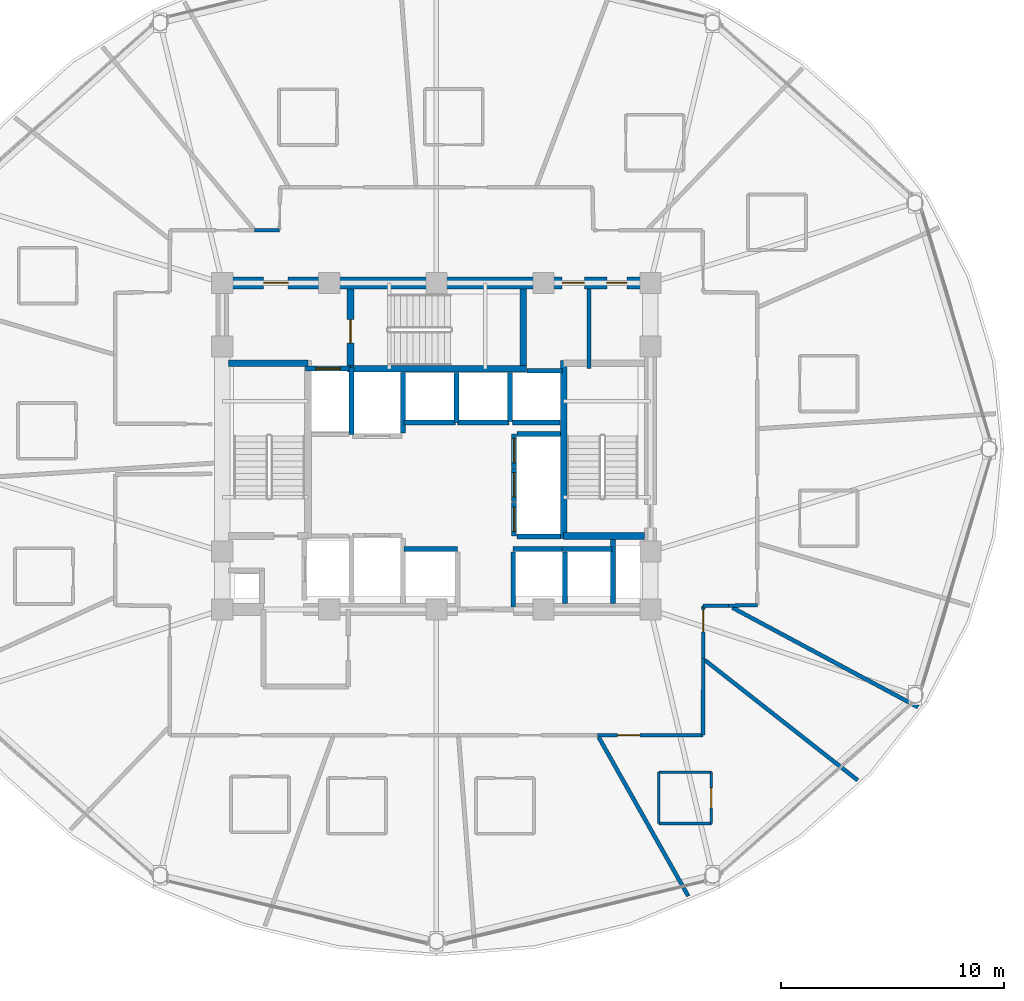
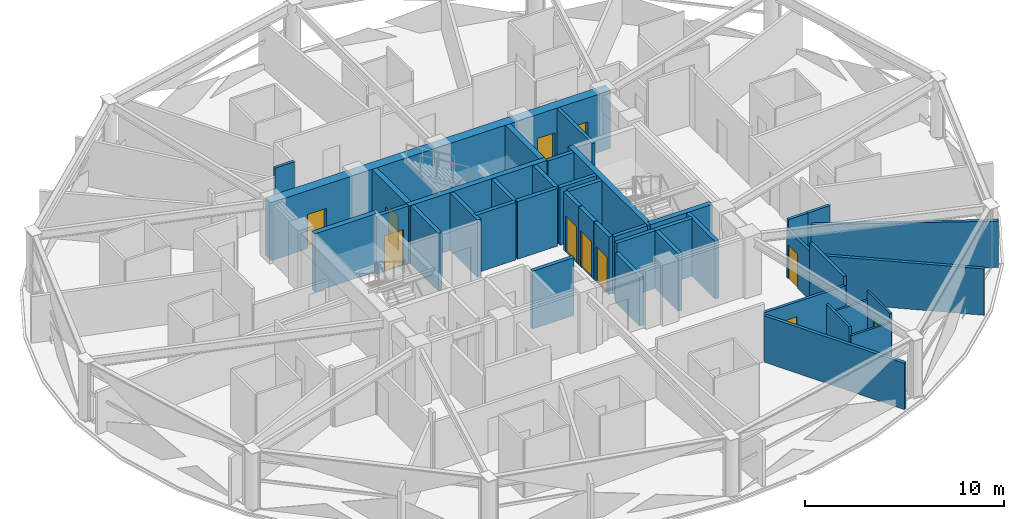
# One storey, part 24 of 30: 41 walls, 11 doors, 11 openings.
"""IFC4 building model written with IfcOpenShell, lengths in metres."""

from ifc_helpers import new_model, si_unit, direction, frame, frame_2d, origin, place, context, subcontext, project, spatial, rectangle, extrude, material, layer, layer_set, type_object, element, fill, save


model = new_model("IFC4")

# Units and contexts
model_context = context("Model", 3, precision=1e-05, world=origin(), true_north=direction((0.0, 1.0)))
body_context = subcontext(model_context, "Body", "Model", "MODEL_VIEW")
ifc_project = project(units=[si_unit("LENGTHUNIT", "METRE"), si_unit("AREAUNIT", "SQUARE_METRE"), si_unit("VOLUMEUNIT", "CUBIC_METRE"), si_unit("PLANEANGLEUNIT", "RADIAN"), si_unit("MASSUNIT", "GRAM", prefix="KILO")], contexts=[model_context])

# Site, building, storey
site_placement = place(None, origin())
site = spatial("IfcSite", under=ifc_project, at=site_placement, CompositionType="ELEMENT")
building_placement = place(site_placement, origin())
building = spatial("IfcBuilding", under=site, at=building_placement, Name="Vantalir Tower", CompositionType="ELEMENT")
storey_placement = place(building_placement, frame((0.0, 0.0, 153.449951171875)))
storey = spatial("IfcBuildingStorey", under=building, at=storey_placement, Name="L38", CompositionType="ELEMENT", Elevation=153.449951171875)

# Walls
ifc_material_1 = material(Name="Moisture-resistant en-suite partition", Category="gypsum")
ifc_layer_1 = layer(ifc_material_1, 0.125)
ifc_layer_set_1 = layer_set([ifc_layer_1], Name="Moisture-resistant en-suite partition")
wall_type_1 = type_object("IfcWallType", Name="WL-BATH-125", PredefinedType="PARTITIONING", material=ifc_layer_set_1)
for number, where, z_axis, x_axis, name in (
    (1, (41.47900390625, 8.2080078125, 0.0), (0.0, 0.0, 1.0), (1.0, 0.0, 0.0), "L38 En-suite 15 South Wall"),
    (2, (41.47900390625, 10.508056640625, 0.0), (0.0, 0.0, 1.0), (1.0, 0.0, 0.0), "L38 En-suite 15 North Wall"),
):
    element("IfcWall", number, at=place(storey_placement, frame(where, z_axis=z_axis, x_axis=x_axis)), inside=storey, type_object=wall_type_1, Name=name, PredefinedType="PARTITIONING", context=body_context, shape_type="SweptSolid", body=[
        extrude(rectangle(XDim=2.35009765625, YDim=0.125, at=frame_2d((1.175048828125, 0.0))), origin(), (0.0, 0.0, 1.0), 3.006103515625),
    ])
wall_1_placement = place(storey_placement, frame((41.47900390625, 8.2080078125, 0.0), z_axis=(0.0, 0.0, 1.0), x_axis=(0.0, 1.0, 0.0)))
element("IfcWall", 3, at=wall_1_placement, inside=storey, type_object=wall_type_1, Name="L38 En-suite 15 West Wall", PredefinedType="PARTITIONING", context=body_context, shape_type="SweptSolid", body=[
    extrude(rectangle(XDim=2.300048828125, YDim=0.125, at=frame_2d((1.14990234375, 0.0))), origin(), (0.0, 0.0, 1.0), 3.550048828125),
])

# Wall, opening, door
wall_2_placement = place(storey_placement, frame((43.8291015625, 8.2080078125, 0.0), z_axis=(0.0, 0.0, 1.0), x_axis=(0.0, 1.0, 0.0)))
wall_2 = element("IfcWall", 4, at=wall_2_placement, inside=storey, type_object=wall_type_1, Name="L38 En-suite 15 East Wall", PredefinedType="PARTITIONING", context=body_context, shape_type="SweptSolid", body=[
    extrude(rectangle(XDim=2.300048828125, YDim=0.125, at=frame_2d((1.14990234375, 0.0))), origin(), (0.0, 0.0, 1.0), 3.550048828125),
])
opening_1_placement = place(wall_2_placement, frame((0.699951171875, 0.0, 0.0)))
opening_1 = element("IfcOpeningElement", 5, at=opening_1_placement, cuts=wall_2, Name="Opening D-WC", PredefinedType="OPENING", context=body_context, shape_type="SweptSolid", body=[
    extrude(rectangle(XDim=0.89990234375, YDim=2.10009765625, at=frame_2d((0.449951171875, 1.050048828125))), frame((0.0, 0.072509765625, 0.0), z_axis=(0.0, -1.0, 0.0), x_axis=(1.0, 0.0, 0.0)), (0.0, 0.0, 1.0), 0.14501953125),
])
ifc_material_2 = material(Name="Moisture-resistant hardwood door", Category="wood")
door_type_1 = type_object("IfcDoorType", Name="DR-ENSUITE-900", OperationType="NOTDEFINED", PredefinedType="DOOR", material=ifc_material_2)
door_1_placement = place(opening_1_placement, origin())
door_1 = element("IfcDoor", 6, at=door_1_placement, inside=storey, type_object=door_type_1, Name="L38 En-suite 15 Door", OperationType="SINGLE_SWING_RIGHT", OverallHeight=2.10009765625, OverallWidth=0.89990234375, PredefinedType="DOOR", context=body_context, shape_type="SweptSolid", body=[
    extrude(rectangle(XDim=0.89990234375, YDim=2.10009765625, at=frame_2d((0.449951171875, 1.050048828125))), frame((0.0, 0.02490234375, 0.0), z_axis=(0.0, -1.0, 0.0), x_axis=(1.0, 0.0, 0.0)), (0.0, 0.0, 1.0), 0.050048828125),
])
fill(opening_1, door_1)

# Wall, openings, doors
ifc_material_3 = material(Name="Concrete C60/75", Category="concrete")
ifc_layer_2 = layer(ifc_material_3, 0.550048828125)
ifc_layer_set_2 = layer_set([ifc_layer_2], Name="Concrete C60/75")
wall_type_2 = type_object("IfcWallType", Name="WL-CORE-550", PredefinedType="SHEAR", material=ifc_layer_set_2)
wall_3_placement = place(storey_placement, frame((21.625, 32.449951171875, 0.0), z_axis=(0.0, 0.0, 1.0), x_axis=(1.0, 0.0, 0.0)))
wall_3 = element("IfcWall", 7, at=wall_3_placement, inside=storey, type_object=wall_type_2, Name="L38 Core Shear Wall North", PredefinedType="SHEAR", context=body_context, shape_type="SweptSolid", body=[
    extrude(rectangle(XDim=19.75, YDim=0.550048828125, at=frame_2d((9.875, 0.0))), origin(), (0.0, 0.0, 1.0), 3.570068359375),
])
opening_2_placement = place(wall_3_placement, frame((2.125, 0.0, 0.0)))
opening_2 = element("IfcOpeningElement", 8, at=opening_2_placement, cuts=wall_3, Name="Opening D-FFL", PredefinedType="OPENING", context=body_context, shape_type="SweptSolid", body=[
    extrude(rectangle(XDim=1.10009765625, YDim=2.10009765625, at=frame_2d((0.550048828125, 1.050048828125))), frame((0.0, 0.284912109375, 0.0), z_axis=(0.0, -1.0, 0.0), x_axis=(1.0, 0.0, 0.0)), (0.0, 0.0, 1.0), 0.570068359375),
])
opening_3_placement = place(wall_3_placement, frame((15.514892578125, 0.0, 0.0)))
opening_3 = element("IfcOpeningElement", 9, at=opening_3_placement, cuts=wall_3, Name="Opening D-GUEST", PredefinedType="OPENING", context=body_context, shape_type="SweptSolid", body=[
    extrude(rectangle(XDim=1.0, YDim=2.10009765625, at=frame_2d((0.5, 1.050048828125))), frame((0.0, 0.284912109375, 0.0), z_axis=(0.0, -1.0, 0.0), x_axis=(1.0, 0.0, 0.0)), (0.0, 0.0, 1.0), 0.570068359375),
])
opening_4_placement = place(wall_3_placement, frame((17.52490234375, 0.0, 0.0)))
opening_4 = element("IfcOpeningElement", 10, at=opening_4_placement, cuts=wall_3, Name="Opening D-CR", PredefinedType="OPENING", context=body_context, shape_type="SweptSolid", body=[
    extrude(rectangle(XDim=0.89990234375, YDim=2.10009765625, at=frame_2d((0.449951171875, 1.050048828125))), frame((0.0, 0.284912109375, 0.0), z_axis=(0.0, -1.0, 0.0), x_axis=(1.0, 0.0, 0.0)), (0.0, 0.0, 1.0), 0.570068359375),
])
ifc_material_4 = material(Name="Fire-rated steel core service door", Category="steel")
door_type_2 = type_object("IfcDoorType", Name="DR-CORE-SERV-900", OperationType="NOTDEFINED", PredefinedType="DOOR", material=ifc_material_4)
door_2_placement = place(opening_4_placement, frame((0.89990234375, 0.0, 0.0), z_axis=(0.0, 0.0, 1.0), x_axis=(-1.0, 0.0, 0.0)))
door_2 = element("IfcDoor", 11, at=door_2_placement, inside=storey, type_object=door_type_2, Name="L38 Housekeeping and Linen Room Door", OperationType="SINGLE_SWING_RIGHT", OverallHeight=2.10009765625, OverallWidth=0.89990234375, PredefinedType="DOOR", context=body_context, shape_type="SweptSolid", body=[
    extrude(rectangle(XDim=0.89990234375, YDim=2.10009765625, at=frame_2d((0.449951171875, 1.050048828125))), frame((0.0, 0.02490234375, 0.0), z_axis=(0.0, -1.0, 0.0), x_axis=(1.0, 0.0, 0.0)), (0.0, 0.0, 1.0), 0.050048828125),
])
fill(opening_4, door_2)
ifc_material_5 = material(Name="Fire-rated acoustic steel door", Category="steel")
door_type_3 = type_object("IfcDoorType", Name="DR-FIRE-LOBBY-1100", OperationType="NOTDEFINED", PredefinedType="DOOR", material=ifc_material_5)
door_3_placement = place(opening_2_placement, frame((1.10009765625, 0.0, 0.0), z_axis=(0.0, 0.0, 1.0), x_axis=(-1.0, 0.0, 0.0)))
door_3 = element("IfcDoor", 12, at=door_3_placement, inside=storey, type_object=door_type_3, Name="L38 Firefighting Lobby East Access Door", OperationType="SINGLE_SWING_RIGHT", OverallHeight=2.10009765625, OverallWidth=1.10009765625, PredefinedType="DOOR", context=body_context, shape_type="SweptSolid", body=[
    extrude(rectangle(XDim=1.10009765625, YDim=2.10009765625, at=frame_2d((0.550048828125, 1.050048828125))), frame((0.0, 0.02490234375, 0.0), z_axis=(0.0, -1.0, 0.0), x_axis=(1.0, 0.0, 0.0)), (0.0, 0.0, 1.0), 0.050048828125),
])
fill(opening_2, door_3)
ifc_material_6 = material(Name="Solid-core teak veneer acoustic fire door", Category="wood")
door_type_4 = type_object("IfcDoorType", Name="DR-GUEST-ENTRY-1000", OperationType="NOTDEFINED", PredefinedType="DOOR", material=ifc_material_6)
door_4_placement = place(opening_3_placement, frame((1.0, 0.0, 0.0), z_axis=(0.0, 0.0, 1.0), x_axis=(-1.0, 0.0, 0.0)))
door_4 = element("IfcDoor", 13, at=door_4_placement, inside=storey, type_object=door_type_4, Name="L38 High-Rise Lift Lobby Door", OperationType="SINGLE_SWING_LEFT", OverallHeight=2.10009765625, OverallWidth=1.0, PredefinedType="DOOR", context=body_context, shape_type="SweptSolid", body=[
    extrude(rectangle(XDim=1.0, YDim=2.10009765625, at=frame_2d((0.5, 1.050048828125))), frame((0.0, 0.02490234375, 0.0), z_axis=(0.0, -1.0, 0.0), x_axis=(1.0, 0.0, 0.0)), (0.0, 0.0, 1.0), 0.050048828125),
])
fill(opening_3, door_4)

# Walls
ifc_material_7 = material(Name="Fire-rated hotel corridor acoustic partition", Category="gypsum")
ifc_layer_3 = layer(ifc_material_7, 0.159912109375)
ifc_layer_set_3 = layer_set([ifc_layer_3], Name="Fire-rated hotel corridor acoustic partition")
wall_type_3 = type_object("IfcWallType", Name="WL-CORR-160", PredefinedType="PARTITIONING", material=ifc_layer_set_3)
wall_4_placement = place(storey_placement, frame((23.35009765625, 34.81396484375, 0.0), z_axis=(0.0, 0.0, 1.0), x_axis=(0.999999612893, 0.000879894072, 0.0)))
element("IfcWall", 14, at=wall_4_placement, inside=storey, type_object=wall_type_3, Name="L38 Corridor Partition 08", PredefinedType="PARTITIONING", context=body_context, shape_type="SweptSolid", body=[
    extrude(rectangle(XDim=1.10986328125, YDim=0.159912109375, at=frame_2d((0.554931640625, 0.0))), origin(), (0.0, 0.0, 1.0), 3.550048828125),
])
wall_5_placement = place(storey_placement, frame((45.89501953125, 17.99609375, 0.0), z_axis=(0.0, 0.0, 1.0), x_axis=(-0.99989056982, -0.014793525123, 0.0)))
element("IfcWall", 15, at=wall_5_placement, inside=storey, type_object=wall_type_3, Name="L38 Corridor Partition 23", PredefinedType="PARTITIONING", context=body_context, shape_type="SweptSolid", body=[
    extrude(rectangle(XDim=1.287353515625, YDim=0.159912109375, at=frame_2d((0.6435546875, 0.0))), origin(), (0.0, 0.0, 1.0), 3.550048828125),
])
wall_6_placement = place(storey_placement, frame((44.60791015625, 17.97705078125, 0.0), z_axis=(0.0, 0.0, 1.0), x_axis=(-0.99988820665, -0.014952397878, 0.0)))
element("IfcWall", 16, at=wall_6_placement, inside=storey, type_object=wall_type_3, Name="L38 Corridor Partition 24", PredefinedType="PARTITIONING", context=body_context, shape_type="SweptSolid", body=[
    extrude(rectangle(XDim=1.14306640625, YDim=0.159912109375, at=frame_2d((0.571533203125, 0.0))), origin(), (0.0, 0.0, 1.0), 3.550048828125),
])

# Wall, opening, door
wall_7_placement = place(storey_placement, frame((43.465087890625, 17.9599609375, 0.0), z_axis=(0.0, 0.0, 1.0), x_axis=(-0.001343112747, -0.999999098024, 0.0)))
wall_7 = element("IfcWall", 17, at=wall_7_placement, inside=storey, type_object=wall_type_3, Name="L38 Corridor Partition 25", PredefinedType="PARTITIONING", context=body_context, shape_type="SweptSolid", body=[
    extrude(rectangle(XDim=2.363037109375, YDim=0.159912109375, at=frame_2d((1.181640625, 0.0))), origin(), (0.0, 0.0, 1.0), 3.006103515625),
])
opening_5_placement = place(wall_7_placement, frame((0.159912109375, 0.0, 0.0)))
opening_5 = element("IfcOpeningElement", 18, at=opening_5_placement, cuts=wall_7, Name="Opening D-GUEST", PredefinedType="OPENING", context=body_context, shape_type="SweptSolid", body=[
    extrude(rectangle(XDim=1.0, YDim=2.10009765625, at=frame_2d((0.5, 1.050048828125))), frame((0.0, 0.08984375, 0.0), z_axis=(0.0, -1.0, 0.0), x_axis=(1.0, 0.0, 0.0)), (0.0, 0.0, 1.0), 0.179931640625),
])
door_5_placement = place(opening_5_placement, origin())
door_5 = element("IfcDoor", 19, at=door_5_placement, inside=storey, type_object=door_type_4, Name="L38 Executive Business Study 16 Door", OperationType="SINGLE_SWING_LEFT", OverallHeight=2.10009765625, OverallWidth=1.0, PredefinedType="DOOR", context=body_context, shape_type="SweptSolid", body=[
    extrude(rectangle(XDim=1.0, YDim=2.10009765625, at=frame_2d((0.5, 1.050048828125))), frame((0.0, 0.02490234375, 0.0), z_axis=(0.0, -1.0, 0.0), x_axis=(1.0, 0.0, 0.0)), (0.0, 0.0, 1.0), 0.050048828125),
])
fill(opening_5, door_5)

# Wall
wall_8_placement = place(storey_placement, frame((43.4619140625, 15.596923828125, 0.0), z_axis=(0.0, 0.0, 1.0), x_axis=(-0.001139194704, -0.999999351118, 0.0)))
element("IfcWall", 20, at=wall_8_placement, inside=storey, type_object=wall_type_3, Name="L38 Corridor Partition 26", PredefinedType="PARTITIONING", context=body_context, shape_type="SweptSolid", body=[
    extrude(rectangle(XDim=3.428955078125, YDim=0.159912109375, at=frame_2d((1.71435546875, 0.0))), origin(), (0.0, 0.0, 1.0), 3.550048828125),
])

# Wall, opening, door
wall_9_placement = place(storey_placement, frame((43.4580078125, 12.16796875, 0.0), z_axis=(0.0, 0.0, 1.0), x_axis=(-0.999999914606, -0.000413265798, 0.0)))
wall_9 = element("IfcWall", 21, at=wall_9_placement, inside=storey, type_object=wall_type_3, Name="L38 Corridor Partition 27", PredefinedType="PARTITIONING", context=body_context, shape_type="SweptSolid", body=[
    extrude(rectangle(XDim=4.72607421875, YDim=0.159912109375, at=frame_2d((2.363037109375, 0.0))), origin(), (0.0, 0.0, 1.0), 3.006103515625),
])
opening_6_placement = place(wall_9_placement, frame((2.825927734375, 0.0, 0.0)))
opening_6 = element("IfcOpeningElement", 22, at=opening_6_placement, cuts=wall_9, Name="Opening D-GUEST", PredefinedType="OPENING", context=body_context, shape_type="SweptSolid", body=[
    extrude(rectangle(XDim=1.0, YDim=2.10009765625, at=frame_2d((0.5, 1.050048828125))), frame((0.0, 0.08984375, 0.0), z_axis=(0.0, -1.0, 0.0), x_axis=(1.0, 0.0, 0.0)), (0.0, 0.0, 1.0), 0.179931640625),
])
door_6_placement = place(opening_6_placement, origin())
door_6 = element("IfcDoor", 23, at=door_6_placement, inside=storey, type_object=door_type_4, Name="L38 Deluxe King Hotel Room 15 Door", OperationType="SINGLE_SWING_RIGHT", OverallHeight=2.10009765625, OverallWidth=1.0, PredefinedType="DOOR", context=body_context, shape_type="SweptSolid", body=[
    extrude(rectangle(XDim=1.0, YDim=2.10009765625, at=frame_2d((0.5, 1.050048828125))), frame((0.0, 0.02490234375, 0.0), z_axis=(0.0, -1.0, 0.0), x_axis=(1.0, 0.0, 0.0)), (0.0, 0.0, 1.0), 0.050048828125),
])
fill(opening_6, door_6)

# Walls
ifc_material_8 = material(Name="Concrete blockwork with fireboard lining", Category="masonry")
ifc_layer_4 = layer(ifc_material_8, 0.219970703125)
ifc_layer_set_4 = layer_set([ifc_layer_4], Name="Concrete blockwork with fireboard lining")
wall_type_4 = type_object("IfcWallType", Name="WL-FFL-220", PredefinedType="PARTITIONING", material=ifc_layer_set_4)
wall_10_placement = place(storey_placement, frame((34.949951171875, 17.919921875, 0.0), z_axis=(0.0, 0.0, 1.0), x_axis=(0.0, 1.0, 0.0)))
element("IfcWall", 24, at=wall_10_placement, inside=storey, type_object=wall_type_4, Name="L38 Shuttle Lift PL-X3 West Shaft Cheek", PredefinedType="PARTITIONING", context=body_context, shape_type="SweptSolid", body=[
    extrude(rectangle(XDim=2.469970703125, YDim=0.219970703125, at=frame_2d((1.23486328125, 0.0))), origin(), (0.0, 0.0, 1.0), 3.006103515625),
])
wall_11_placement = place(storey_placement, frame((37.27490234375, 18.080078125, 0.0), z_axis=(0.0, 0.0, 1.0), x_axis=(0.0, 1.0, 0.0)))
element("IfcWall", 25, at=wall_11_placement, inside=storey, type_object=wall_type_4, Name="L38 Shuttle Lift PL-X2/X3 Shaft Divider", PredefinedType="PARTITIONING", context=body_context, shape_type="SweptSolid", body=[
    extrude(rectangle(XDim=2.309814453125, YDim=0.219970703125, at=frame_2d((1.15478515625, 0.0))), origin(), (0.0, 0.0, 1.0), 3.545166015625),
])
wall_12_placement = place(storey_placement, frame((30.0, 25.7099609375, 0.0), z_axis=(0.0, 0.0, 1.0), x_axis=(0.0, 1.0, 0.0)))
element("IfcWall", 26, at=wall_12_placement, inside=storey, type_object=wall_type_4, Name="L38 Service Lift SV2 East Shaft Wall", PredefinedType="PARTITIONING", context=body_context, shape_type="SweptSolid", body=[
    extrude(rectangle(XDim=2.72998046875, YDim=0.219970703125, at=frame_2d((1.364990234375, 0.0))), origin(), (0.0, 0.0, 1.0), 3.545166015625),
])
wall_13_placement = place(storey_placement, frame((32.39990234375, 26.199951171875, 0.0), z_axis=(0.0, 0.0, 1.0), x_axis=(0.0, 1.0, 0.0)))
element("IfcWall", 27, at=wall_13_placement, inside=storey, type_object=wall_type_4, Name="L38 High-Rise Lift PL-H1/H2 Shaft Divider", PredefinedType="PARTITIONING", context=body_context, shape_type="SweptSolid", body=[
    extrude(rectangle(XDim=2.239990234375, YDim=0.219970703125, at=frame_2d((1.1201171875, 0.0))), origin(), (0.0, 0.0, 1.0), 3.545166015625),
])
wall_14_placement = place(storey_placement, frame((34.800048828125, 26.22998046875, 0.0), z_axis=(0.0, 0.0, 1.0), x_axis=(0.0, 1.0, 0.0)))
element("IfcWall", 28, at=wall_14_placement, inside=storey, type_object=wall_type_4, Name="L38 High-Rise Lift PL-H2/H3 Shaft Divider", PredefinedType="PARTITIONING", context=body_context, shape_type="SweptSolid", body=[
    extrude(rectangle(XDim=2.2099609375, YDim=0.219970703125, at=frame_2d((1.10498046875, 0.0))), origin(), (0.0, 0.0, 1.0), 3.545166015625),
])
wall_15_placement = place(storey_placement, frame((34.909912109375, 26.18994140625, 0.0), z_axis=(0.0, 0.0, 1.0), x_axis=(1.0, 0.0, 0.0)))
element("IfcWall", 29, at=wall_15_placement, inside=storey, type_object=wall_type_4, Name="L38 High-Rise Lift PL-H3 Rear Shaft Wall", PredefinedType="PARTITIONING", context=body_context, shape_type="SweptSolid", body=[
    extrude(rectangle(XDim=2.14013671875, YDim=0.219970703125, at=frame_2d((1.070068359375, 0.0))), origin(), (0.0, 0.0, 1.0), 3.545166015625),
])
wall_16_placement = place(storey_placement, frame((39.419921875, 18.074951171875, 0.0), z_axis=(0.0, 0.0, 1.0), x_axis=(0.0, 1.0, 0.0)))
element("IfcWall", 30, at=wall_16_placement, inside=storey, type_object=wall_type_4, Name="L38 East MEP Riser Wall W", PredefinedType="PARTITIONING", context=body_context, shape_type="SweptSolid", body=[
    extrude(rectangle(XDim=2.875, YDim=0.219970703125, at=frame_2d((1.4375, 0.0))), origin(), (0.0, 0.0, 1.0), 3.550048828125),
])

# Wall, opening, door
wall_17_placement = place(storey_placement, frame((25.639892578125, 28.610107421875, 0.0), z_axis=(0.0, 0.0, 1.0), x_axis=(1.0, 0.0, 0.0)))
wall_17 = element("IfcWall", 31, at=wall_17_placement, inside=storey, type_object=wall_type_4, Name="L38 Lift FL2 Shaft Front Wall", PredefinedType="PARTITIONING", context=body_context, shape_type="SweptSolid", body=[
    extrude(rectangle(XDim=2.02001953125, YDim=0.219970703125, at=frame_2d((1.010009765625, 0.0))), origin(), (0.0, 0.0, 1.0), 3.550048828125),
])
opening_7_placement = place(wall_17_placement, frame((0.4599609375, 0.0, 0.0)))
opening_7 = element("IfcOpeningElement", 32, at=opening_7_placement, cuts=wall_17, Name="Opening LD-FL2", PredefinedType="OPENING", context=body_context, shape_type="SweptSolid", body=[
    extrude(rectangle(XDim=1.10009765625, YDim=2.199951171875, at=frame_2d((0.550048828125, 1.10009765625))), frame((0.0, 0.119873046875, 0.0), z_axis=(0.0, -1.0, 0.0), x_axis=(1.0, 0.0, 0.0)), (0.0, 0.0, 1.0), 0.239990234375),
])
ifc_material_9 = material(Name="Brushed stainless-steel sliding lift landing door", Category="steel")
door_type_5 = type_object("IfcDoorType", Name="DR-LIFT-LANDING-1100", OperationType="DOUBLE_DOOR_SLIDING", PredefinedType="DOOR", material=ifc_material_9)
door_7_placement = place(opening_7_placement, origin())
door_7 = element("IfcDoor", 33, at=door_7_placement, inside=storey, type_object=door_type_5, Name="L38 Lift Landing Door FL2", OperationType="DOUBLE_DOOR_SLIDING", OverallHeight=2.199951171875, OverallWidth=1.10009765625, PredefinedType="DOOR", context=body_context, shape_type="SweptSolid", body=[
    extrude(rectangle(XDim=1.10009765625, YDim=2.199951171875, at=frame_2d((0.550048828125, 1.10009765625))), frame((0.0, 0.02490234375, 0.0), z_axis=(0.0, -1.0, 0.0), x_axis=(1.0, 0.0, 0.0)), (0.0, 0.0, 1.0), 0.050048828125),
])
fill(opening_7, door_7)

# Walls
wall_18_placement = place(storey_placement, frame((30.0400390625, 20.510009765625, 0.0), z_axis=(0.0, 0.0, 1.0), x_axis=(1.0, 0.0, 0.0)))
element("IfcWall", 34, at=wall_18_placement, inside=storey, type_object=wall_type_4, Name="L38 Lift PL-X1 Shaft Front Wall", PredefinedType="PARTITIONING", context=body_context, shape_type="SweptSolid", body=[
    extrude(rectangle(XDim=2.419921875, YDim=0.219970703125, at=frame_2d((1.2099609375, 0.0))), origin(), (0.0, 0.0, 1.0), 3.550048828125),
])
for number, where, z_axis, x_axis, name in (
    (35, (37.139892578125, 20.510009765625, 0.0), (0.0, 0.0, 1.0), (1.0, 0.0, 0.0), "L38 Lift PL-X2 Shaft Rear Wall"),
    (36, (34.93994140625, 20.510009765625, 0.0), (0.0, 0.0, 1.0), (1.0, 0.0, 0.0), "L38 Lift PL-X3 Shaft Front Wall"),
):
    element("IfcWall", number, at=place(storey_placement, frame(where, z_axis=z_axis, x_axis=x_axis)), inside=storey, type_object=wall_type_4, Name=name, PredefinedType="PARTITIONING", context=body_context, shape_type="SweptSolid", body=[
        extrude(rectangle(XDim=2.239990234375, YDim=0.219970703125, at=frame_2d((1.1201171875, 0.0))), origin(), (0.0, 0.0, 1.0), 3.550048828125),
    ])
for number, where, z_axis, x_axis, name in (
    (37, (30.0400390625, 26.18994140625, 0.0), (0.0, 0.0, 1.0), (1.0, 0.0, 0.0), "L38 Lift PL-H1 Shaft Front Wall"),
    (38, (32.43994140625, 26.18994140625, 0.0), (0.0, 0.0, 1.0), (1.0, 0.0, 0.0), "L38 Lift PL-H2 Shaft Front Wall"),
):
    element("IfcWall", number, at=place(storey_placement, frame(where, z_axis=z_axis, x_axis=x_axis)), inside=storey, type_object=wall_type_4, Name=name, PredefinedType="PARTITIONING", context=body_context, shape_type="SweptSolid", body=[
        extrude(rectangle(XDim=2.320068359375, YDim=0.219970703125, at=frame_2d((1.16015625, 0.0))), origin(), (0.0, 0.0, 1.0), 3.550048828125),
    ])
wall_19_placement = place(storey_placement, frame((35.56005859375, 28.510009765625, 0.0), z_axis=(0.0, 0.0, 1.0), x_axis=(1.0, 0.0, 0.0)))
element("IfcWall", 39, at=wall_19_placement, inside=storey, type_object=wall_type_4, Name="L38 Lift PL-H3 Shaft Front Wall", PredefinedType="PARTITIONING", context=body_context, shape_type="SweptSolid", body=[
    extrude(rectangle(XDim=1.599853515625, YDim=0.219970703125, at=frame_2d((0.7998046875, 0.0))), origin(), (0.0, 0.0, 1.0), 3.550048828125),
])

# Wall, opening, door
wall_20_placement = place(storey_placement, frame((34.989990234375, 21.10009765625, 0.0), z_axis=(0.0, 0.0, 1.0), x_axis=(0.0, 1.0, 0.0)))
wall_20 = element("IfcWall", 40, at=wall_20_placement, inside=storey, type_object=wall_type_4, Name="L38 Lift PL-M1 Shaft Front Wall", PredefinedType="PARTITIONING", context=body_context, shape_type="SweptSolid", body=[
    extrude(rectangle(XDim=1.5, YDim=0.219970703125, at=frame_2d((0.75, 0.0))), origin(), (0.0, 0.0, 1.0), 3.550048828125),
])
opening_8_placement = place(wall_20_placement, frame((0.199951171875, 0.0, 0.0)))
opening_8 = element("IfcOpeningElement", 41, at=opening_8_placement, cuts=wall_20, Name="Opening LD-PL-M1", PredefinedType="OPENING", context=body_context, shape_type="SweptSolid", body=[
    extrude(rectangle(XDim=1.10009765625, YDim=2.199951171875, at=frame_2d((0.550048828125, 1.10009765625))), frame((0.0, 0.119873046875, 0.0), z_axis=(0.0, -1.0, 0.0), x_axis=(1.0, 0.0, 0.0)), (0.0, 0.0, 1.0), 0.239990234375),
])
door_8_placement = place(opening_8_placement, origin())
door_8 = element("IfcDoor", 42, at=door_8_placement, inside=storey, type_object=door_type_5, Name="L38 Lift Landing Door PL-M1", OperationType="DOUBLE_DOOR_SLIDING", OverallHeight=2.199951171875, OverallWidth=1.10009765625, PredefinedType="DOOR", context=body_context, shape_type="SweptSolid", body=[
    extrude(rectangle(XDim=1.10009765625, YDim=2.199951171875, at=frame_2d((0.550048828125, 1.10009765625))), frame((0.0, 0.02490234375, 0.0), z_axis=(0.0, -1.0, 0.0), x_axis=(1.0, 0.0, 0.0)), (0.0, 0.0, 1.0), 0.050048828125),
])
fill(opening_8, door_8)

wall_21_placement = place(storey_placement, frame((34.989990234375, 22.639892578125, 0.0), z_axis=(0.0, 0.0, 1.0), x_axis=(0.0, 1.0, 0.0)))
wall_21 = element("IfcWall", 43, at=wall_21_placement, inside=storey, type_object=wall_type_4, Name="L38 Lift PL-M2 Shaft Front Wall", PredefinedType="PARTITIONING", context=body_context, shape_type="SweptSolid", body=[
    extrude(rectangle(XDim=1.5, YDim=0.219970703125, at=frame_2d((0.75, 0.0))), origin(), (0.0, 0.0, 1.0), 3.550048828125),
])
opening_9_placement = place(wall_21_placement, frame((0.199951171875, 0.0, 0.0)))
opening_9 = element("IfcOpeningElement", 44, at=opening_9_placement, cuts=wall_21, Name="Opening LD-PL-M2", PredefinedType="OPENING", context=body_context, shape_type="SweptSolid", body=[
    extrude(rectangle(XDim=1.10009765625, YDim=2.199951171875, at=frame_2d((0.550048828125, 1.10009765625))), frame((0.0, 0.119873046875, 0.0), z_axis=(0.0, -1.0, 0.0), x_axis=(1.0, 0.0, 0.0)), (0.0, 0.0, 1.0), 0.239990234375),
])
door_9_placement = place(opening_9_placement, origin())
door_9 = element("IfcDoor", 45, at=door_9_placement, inside=storey, type_object=door_type_5, Name="L38 Lift Landing Door PL-M2", OperationType="DOUBLE_DOOR_SLIDING", OverallHeight=2.199951171875, OverallWidth=1.10009765625, PredefinedType="DOOR", context=body_context, shape_type="SweptSolid", body=[
    extrude(rectangle(XDim=1.10009765625, YDim=2.199951171875, at=frame_2d((0.550048828125, 1.10009765625))), frame((0.0, 0.02490234375, 0.0), z_axis=(0.0, -1.0, 0.0), x_axis=(1.0, 0.0, 0.0)), (0.0, 0.0, 1.0), 0.050048828125),
])
fill(opening_9, door_9)

wall_22_placement = place(storey_placement, frame((34.989990234375, 24.179931640625, 0.0), z_axis=(0.0, 0.0, 1.0), x_axis=(0.0, 1.0, 0.0)))
wall_22 = element("IfcWall", 46, at=wall_22_placement, inside=storey, type_object=wall_type_4, Name="L38 Lift PL-M3 Shaft Front Wall", PredefinedType="PARTITIONING", context=body_context, shape_type="SweptSolid", body=[
    extrude(rectangle(XDim=1.5, YDim=0.219970703125, at=frame_2d((0.75, 0.0))), origin(), (0.0, 0.0, 1.0), 3.550048828125),
])
opening_10_placement = place(wall_22_placement, frame((0.199951171875, 0.0, 0.0)))
opening_10 = element("IfcOpeningElement", 47, at=opening_10_placement, cuts=wall_22, Name="Opening LD-PL-M3", PredefinedType="OPENING", context=body_context, shape_type="SweptSolid", body=[
    extrude(rectangle(XDim=1.10009765625, YDim=2.199951171875, at=frame_2d((0.550048828125, 1.10009765625))), frame((0.0, 0.119873046875, 0.0), z_axis=(0.0, -1.0, 0.0), x_axis=(1.0, 0.0, 0.0)), (0.0, 0.0, 1.0), 0.239990234375),
])
door_10_placement = place(opening_10_placement, origin())
door_10 = element("IfcDoor", 48, at=door_10_placement, inside=storey, type_object=door_type_5, Name="L38 Lift Landing Door PL-M3", OperationType="DOUBLE_DOOR_SLIDING", OverallHeight=2.199951171875, OverallWidth=1.10009765625, PredefinedType="DOOR", context=body_context, shape_type="SweptSolid", body=[
    extrude(rectangle(XDim=1.10009765625, YDim=2.199951171875, at=frame_2d((0.550048828125, 1.10009765625))), frame((0.0, 0.02490234375, 0.0), z_axis=(0.0, -1.0, 0.0), x_axis=(1.0, 0.0, 0.0)), (0.0, 0.0, 1.0), 0.050048828125),
])
fill(opening_10, door_10)

# Walls
wall_23_placement = place(storey_placement, frame((27.699951171875, 25.64990234375, 0.0), z_axis=(0.0, 0.0, 1.0), x_axis=(0.0, 1.0, 0.0)))
element("IfcWall", 49, at=wall_23_placement, inside=storey, type_object=wall_type_4, Name="L38 Fire Lift FL2 Dividing Wall", PredefinedType="PARTITIONING", context=body_context, shape_type="SweptSolid", body=[
    extrude(rectangle(XDim=3.0, YDim=0.219970703125, at=frame_2d((1.5, 0.0))), origin(), (0.0, 0.0, 1.0), 3.550048828125),
])
for number, where, z_axis, x_axis, name in (
    (50, (35.1201171875, 21.080078125, 0.0), (0.0, 0.0, 1.0), (1.0, 0.0, 0.0), "L38 Mid-Rise Bank South Wall"),
    (51, (35.1201171875, 25.679931640625, 0.0), (0.0, 0.0, 1.0), (1.0, 0.0, 0.0), "L38 Mid-Rise Bank North Wall"),
):
    element("IfcWall", number, at=place(storey_placement, frame(where, z_axis=z_axis, x_axis=x_axis)), inside=storey, type_object=wall_type_4, Name=name, PredefinedType="PARTITIONING", context=body_context, shape_type="SweptSolid", body=[
        extrude(rectangle(XDim=1.93994140625, YDim=0.219970703125, at=frame_2d((0.969970703125, 0.0))), origin(), (0.0, 0.0, 1.0), 3.550048828125),
    ])
ifc_material_10 = material(Name="Twin-stud acoustic fire-rated gypsum partition", Category="gypsum")
ifc_layer_5 = layer(ifc_material_10, 0.179931640625)
ifc_layer_set_5 = layer_set([ifc_layer_5], Name="Twin-stud acoustic fire-rated gypsum partition")
wall_type_5 = type_object("IfcWallType", Name="WL-GUEST-180", PredefinedType="PARTITIONING", material=ifc_layer_set_5)
wall_24_placement = place(storey_placement, frame((38.340087890625, 28.6201171875, 0.0), z_axis=(0.0, 0.0, 1.0), x_axis=(0.0, 1.0, 0.0)))
element("IfcWall", 52, at=wall_24_placement, inside=storey, type_object=wall_type_5, Name="L38 High-Rise Lift Lobby East Wall", PredefinedType="PARTITIONING", context=body_context, shape_type="SweptSolid", body=[
    extrude(rectangle(XDim=3.554931640625, YDim=0.179931640625, at=frame_2d((1.77734375, 0.0))), origin(), (0.0, 0.0, 1.0), 3.550048828125),
])
wall_25_placement = place(storey_placement, frame((38.782958984375, 12.074951171875, 0.0), z_axis=(0.0, 0.0, 1.0), x_axis=(0.490941390618, -0.871192602688, 0.0)))
element("IfcWall", 53, at=wall_25_placement, inside=storey, type_object=wall_type_5, Name="L38 Radial Suite Partition 15", PredefinedType="PARTITIONING", context=body_context, shape_type="SweptSolid", body=[
    extrude(rectangle(XDim=8.178466796875, YDim=0.179931640625, at=frame_2d((4.08935546875, 0.0))), origin(), (0.0, 0.0, 1.0), 2.85205078125),
])
wall_26_placement = place(storey_placement, frame((43.5400390625, 15.535888671875, 0.0), z_axis=(0.0, 0.0, 1.0), x_axis=(0.786155203297, -0.618029122558, 0.0)))
element("IfcWall", 54, at=wall_26_placement, inside=storey, type_object=wall_type_5, Name="L38 Radial Suite Partition 16", PredefinedType="PARTITIONING", context=body_context, shape_type="SweptSolid", body=[
    extrude(rectangle(XDim=8.725830078125, YDim=0.179931640625, at=frame_2d((4.36279296875, 0.0))), origin(), (0.0, 0.0, 1.0), 2.85205078125),
])
wall_27_placement = place(storey_placement, frame((44.779052734375, 17.885009765625, 0.0), z_axis=(0.0, 0.0, 1.0), x_axis=(0.881472668275, -0.472235042202, 0.0)))
element("IfcWall", 55, at=wall_27_placement, inside=storey, type_object=wall_type_5, Name="L38 Radial Suite Partition 17", PredefinedType="PARTITIONING", context=body_context, shape_type="SweptSolid", body=[
    extrude(rectangle(XDim=9.4443359375, YDim=0.179931640625, at=frame_2d((4.72216796875, 0.0))), origin(), (0.0, 0.0, 1.0), 2.85205078125),
])
ifc_material_11 = material(Name="Concrete C50/60", Category="concrete")
ifc_layer_6 = layer(ifc_material_11, 0.300048828125)
ifc_layer_set_6 = layer_set([ifc_layer_6], Name="Concrete C50/60")
wall_type_6 = type_object("IfcWallType", Name="WL-STAIR-300", PredefinedType="SHEAR", material=ifc_layer_set_6)
wall_28_placement = place(storey_placement, frame((22.175048828125, 28.85009765625, 0.0), z_axis=(0.0, 0.0, 1.0), x_axis=(1.0, 0.0, 0.0)))
element("IfcWall", 56, at=wall_28_placement, inside=storey, type_object=wall_type_6, Name="L38 Stair ST1 North Wall", PredefinedType="SHEAR", context=body_context, shape_type="SweptSolid", body=[
    extrude(rectangle(XDim=3.56494140625, YDim=0.300048828125, at=frame_2d((1.782470703125, 0.0))), origin(), (0.0, 0.0, 1.0), 3.570068359375),
])
wall_29_placement = place(storey_placement, frame((37.2099609375, 21.10009765625, 0.0), z_axis=(0.0, 0.0, 1.0), x_axis=(1.0, 0.0, 0.0)))
element("IfcWall", 57, at=wall_29_placement, inside=storey, type_object=wall_type_6, Name="L38 Stair ST2 South Wall", PredefinedType="SHEAR", context=body_context, shape_type="SweptSolid", body=[
    extrude(rectangle(XDim=3.614990234375, YDim=0.300048828125, at=frame_2d((1.8076171875, 0.0))), origin(), (0.0, 0.0, 1.0), 3.570068359375),
])
wall_30_placement = place(storey_placement, frame((37.2099609375, 20.97998046875, 0.0), z_axis=(0.0, 0.0, 1.0), x_axis=(0.0, 1.0, 0.0)))
element("IfcWall", 58, at=wall_30_placement, inside=storey, type_object=wall_type_6, Name="L38 Stair ST2 West Wall", PredefinedType="SHEAR", context=body_context, shape_type="SweptSolid", body=[
    extrude(rectangle(XDim=7.989990234375, YDim=0.300048828125, at=frame_2d((3.9951171875, 0.0))), origin(), (0.0, 0.0, 1.0), 3.570068359375),
])
wall_31_placement = place(storey_placement, frame((27.510009765625, 28.60009765625, 0.0), z_axis=(0.0, 0.0, 1.0), x_axis=(1.0, 0.0, 0.0)))
element("IfcWall", 59, at=wall_31_placement, inside=storey, type_object=wall_type_6, Name="L38 Stair ST3 South Wall", PredefinedType="SHEAR", context=body_context, shape_type="SweptSolid", body=[
    extrude(rectangle(XDim=8.030029296875, YDim=0.300048828125, at=frame_2d((4.01513671875, 0.0))), origin(), (0.0, 0.0, 1.0), 3.570068359375),
])

# Wall, opening, door
wall_32_placement = place(storey_placement, frame((27.64990234375, 28.75, 0.0), z_axis=(0.0, 0.0, 1.0), x_axis=(0.0, 1.0, 0.0)))
wall_32 = element("IfcWall", 60, at=wall_32_placement, inside=storey, type_object=wall_type_6, Name="L38 Stair ST3 West Wall", PredefinedType="SHEAR", context=body_context, shape_type="SweptSolid", body=[
    extrude(rectangle(XDim=3.425048828125, YDim=0.300048828125, at=frame_2d((1.71240234375, 0.0))), origin(), (0.0, 0.0, 1.0), 3.570068359375),
])
opening_11_placement = place(wall_32_placement, frame((1.0, 0.0, 0.0)))
opening_11 = element("IfcOpeningElement", 61, at=opening_11_placement, cuts=wall_32, Name="Opening D-ST", PredefinedType="OPENING", context=body_context, shape_type="SweptSolid", body=[
    extrude(rectangle(XDim=1.050048828125, YDim=2.10009765625, at=frame_2d((0.52490234375, 1.050048828125))), frame((0.0, 0.159912109375, 0.0), z_axis=(0.0, -1.0, 0.0), x_axis=(1.0, 0.0, 0.0)), (0.0, 0.0, 1.0), 0.320068359375),
])
ifc_material_12 = material(Name="Fire-rated steel door leaf", Category="steel")
door_type_6 = type_object("IfcDoorType", Name="DR-FIRE-STAIR-1050", OperationType="NOTDEFINED", PredefinedType="DOOR", material=ifc_material_12)
door_11_placement = place(opening_11_placement, frame((1.050048828125, 0.0, 0.0), z_axis=(0.0, 0.0, 1.0), x_axis=(-1.0, 0.0, 0.0)))
door_11 = element("IfcDoor", 62, at=door_11_placement, inside=storey, type_object=door_type_6, Name="L38 Exit Stair ST3 Fire Door", OperationType="SINGLE_SWING_LEFT", OverallHeight=2.10009765625, OverallWidth=1.050048828125, PredefinedType="DOOR", context=body_context, shape_type="SweptSolid", body=[
    extrude(rectangle(XDim=1.050048828125, YDim=2.10009765625, at=frame_2d((0.52490234375, 1.050048828125))), frame((0.0, 0.02490234375, 0.0), z_axis=(0.0, -1.0, 0.0), x_axis=(1.0, 0.0, 0.0)), (0.0, 0.0, 1.0), 0.050048828125),
])
fill(opening_11, door_11)

# Wall
wall_33_placement = place(storey_placement, frame((35.39990234375, 28.75, 0.0), z_axis=(0.0, 0.0, 1.0), x_axis=(0.0, 1.0, 0.0)))
element("IfcWall", 63, at=wall_33_placement, inside=storey, type_object=wall_type_6, Name="L38 Stair ST3 East Wall", PredefinedType="SHEAR", context=body_context, shape_type="SweptSolid", body=[
    extrude(rectangle(XDim=3.425048828125, YDim=0.300048828125, at=frame_2d((1.71240234375, 0.0))), origin(), (0.0, 0.0, 1.0), 3.570068359375),
])

save(model, "model.ifc")
